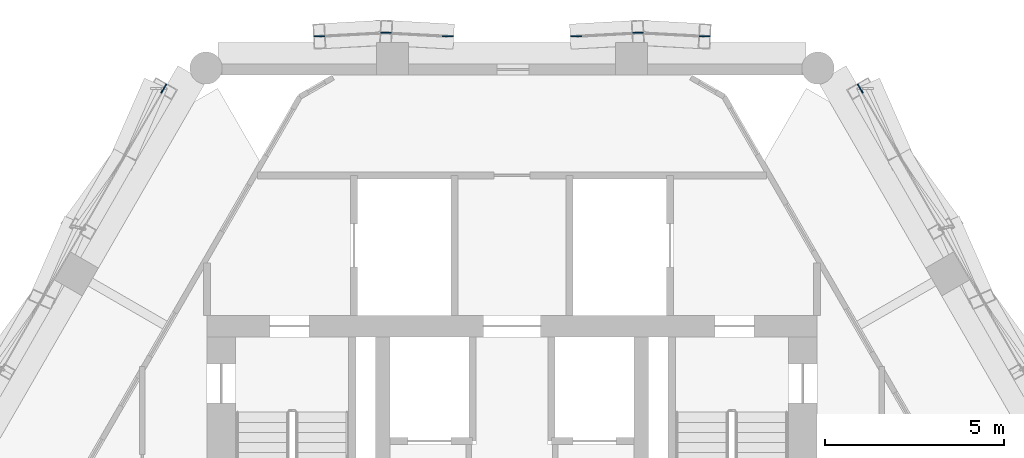
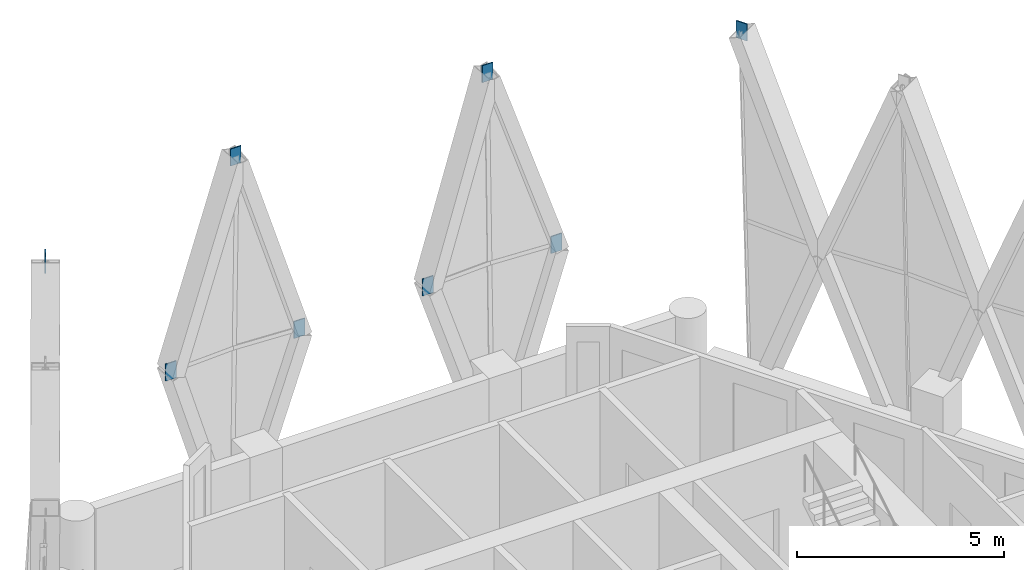
# One storey, part 20 of 21: 8 discrete accessories.
"""IFC4 building model written with IfcOpenShell, lengths in metres."""

from ifc_helpers import new_model, si_unit, direction, frame, origin, origin_2d, place, context, subcontext, project, spatial, rectangle, extrude, material, layer, layer_set, type_object, element, save


model = new_model("IFC4")

# Units and contexts
model_context = context("Model", 3, precision=1e-05, world=origin(), true_north=direction((0.0, 1.0)))
body_context = subcontext(model_context, "Body", "Model", "MODEL_VIEW")
ifc_project = project(units=[si_unit("LENGTHUNIT", "METRE"), si_unit("AREAUNIT", "SQUARE_METRE"), si_unit("VOLUMEUNIT", "CUBIC_METRE"), si_unit("PLANEANGLEUNIT", "RADIAN"), si_unit("MASSUNIT", "GRAM", prefix="KILO")], contexts=[model_context])

# Site, building, storey
site_placement = place(None, origin())
site = spatial("IfcSite", under=ifc_project, at=site_placement, CompositionType="ELEMENT")
building_placement = place(site_placement, origin())
building = spatial("IfcBuilding", under=site, at=building_placement, Name="Ostrander Bayou Hotel Tower", CompositionType="ELEMENT")
storey_placement = place(building_placement, frame((0.0, 0.0, 256.25)))
storey = spatial("IfcBuildingStorey", under=building, at=storey_placement, Name="L63", CompositionType="ELEMENT", Elevation=256.25)

# Discrete accessories
ifc_material = material(Name="Steel ASTM A572 Gr 50", Category="steel")
ifc_layer = layer(ifc_material, 0.030029296875)
ifc_layer_set = layer_set([ifc_layer], Name="GP1 gusset plate 30 mm")
discrete_accessory_type = type_object("IfcDiscreteAccessoryType", Name="GP1 gusset plate 30 mm", PredefinedType="BRACKET", material=ifc_layer_set)
for number, where, z_axis, x_axis, name in (
    (1, (5.369140625, 17.474365234375, 4.77490234375), (0.0, 0.0, 1.0), (-1.0, 0.0, 0.0), "GP1 gusset plate lat 455"),
    (2, (3.508544921875, 17.570068359375, 10.39990234375), (0.0, 0.0, 1.0), (-1.0, 0.0, 0.0), "GP1 gusset plate lat 456"),
    (3, (1.789794921875, 17.474365234375, 4.77490234375), (0.0, 0.0, 1.0), (-1.0, 0.0, 0.0), "GP1 gusset plate lat 457"),
    (4, (-1.789794921875, 17.474365234375, 4.77490234375), (0.0, 0.0, 1.0), (-1.0, 0.0, 0.0), "GP1 gusset plate lat 458"),
    (5, (-3.508544921875, 17.570068359375, 10.39990234375), (0.0, 0.0, 1.0), (-1.0, 0.0, 0.0), "GP1 gusset plate lat 459"),
    (6, (-5.369140625, 17.474365234375, 4.77490234375), (0.0, 0.0, 1.0), (-1.0, 0.0, 0.0), "GP1 gusset plate lat 460"),
    (7, (-9.704345703125, 16.0185546875, 10.39990234375), (0.0, 0.0, 1.0), (-0.5, -0.866025403784, 0.0), "GP1 gusset plate lat 462"),
    (8, (9.704345703125, 16.0185546875, 10.39990234375), (0.0, 0.0, 1.0), (-0.5, 0.866025403784, 0.0), "GP1 gusset plate lat 505"),
):
    element("IfcDiscreteAccessory", number, at=place(storey_placement, frame(where, z_axis=z_axis, x_axis=x_axis)), inside=storey, type_object=discrete_accessory_type, Name=name, PredefinedType="BRACKET", context=body_context, shape_type="SweptSolid", body=[
        extrude(rectangle(XDim=0.300048828125, YDim=0.030029296875, at=origin_2d()), origin(), (0.0, 0.0, 1.0), 0.5),
    ])

save(model, "model.ifc")
